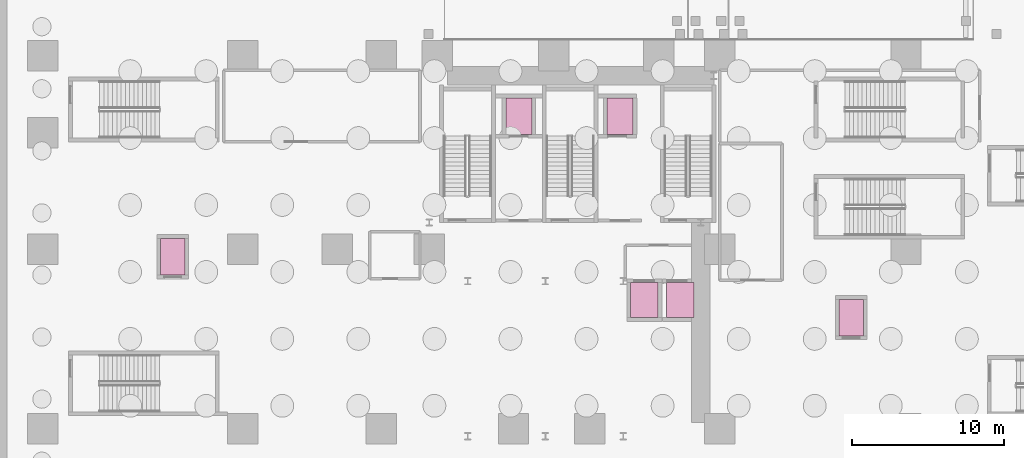
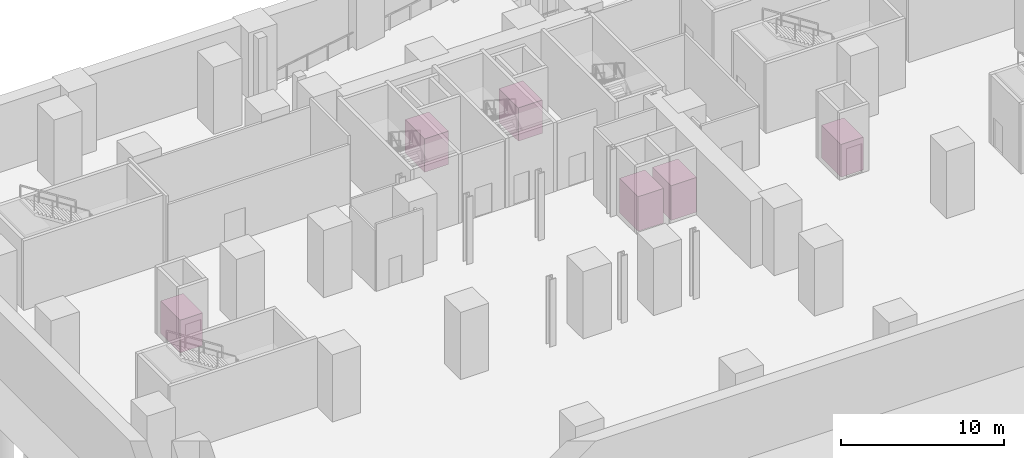
# One storey, part 14 of 14: 6 transport elements.
"""IFC4 building model written with IfcOpenShell, lengths in metres."""

from ifc_helpers import new_model, si_unit, direction, frame, origin, origin_2d, place, context, subcontext, project, spatial, rectangle, extrude, source, transform, mapped, material, type_object, element, save


model = new_model("IFC4")

# Units and contexts
model_context = context("Model", 3, precision=1e-05, world=origin(), true_north=direction((0.0, 1.0)))
body_context = subcontext(model_context, "Body", "Model", "MODEL_VIEW")
ifc_project = project(units=[si_unit("LENGTHUNIT", "METRE"), si_unit("AREAUNIT", "SQUARE_METRE"), si_unit("VOLUMEUNIT", "CUBIC_METRE"), si_unit("PLANEANGLEUNIT", "RADIAN"), si_unit("MASSUNIT", "GRAM", prefix="KILO")], contexts=[model_context])

# Site, building, storey
site_placement = place(None, origin())
site = spatial("IfcSite", under=ifc_project, at=site_placement, CompositionType="ELEMENT")
building_placement = place(site_placement, origin())
building = spatial("IfcBuilding", under=site, at=building_placement, Name="Vardaveli Station Tower", CompositionType="ELEMENT")
storey_placement = place(building_placement, frame((0.0, 0.0, -11.39990234375)))
storey = spatial("IfcBuildingStorey", under=building, at=storey_placement, Name="B02", CompositionType="ELEMENT", Elevation=-11.39990234375)

# Transport elements
ifc_material_1 = material(Name="Brushed stainless steel elevator cab", Category="steel")
transport_element_type_1 = type_object("IfcTransportElementType", Name="LIFT-PASS-1600", PredefinedType="ELEVATOR", material=ifc_material_1)
shared_shape_1 = source(origin(), body_context, "Body", "SweptSolid", [
    extrude(rectangle(XDim=1.60009765625, YDim=2.39990234375, at=origin_2d()), origin(), (0.0, 0.0, 1.0), 2.449951171875),
])
for number, where, z_axis, x_axis, name in (
    (1, (11.800048828125, 28.39990234375, 0.0), (0.0, 0.0, 1.0), (1.0, 0.0, 0.0), "Lift STN-01"),
    (2, (56.39990234375, 24.39990234375, 0.0), (0.0, 0.0, 1.0), (1.0, 0.0, 0.0), "Lift STN-02"),
):
    element("IfcTransportElement", number, at=place(storey_placement, frame(where, z_axis=z_axis, x_axis=x_axis)), inside=storey, type_object=transport_element_type_1, Name=name, PredefinedType="ELEVATOR", context=body_context, shape_type="MappedRepresentation", body=[
        mapped(shared_shape_1, transform((0.0, 0.0, 0.0), scale=1.0)),
    ])
ifc_material_2 = material(Name="Fire-rated stainless steel stretcher elevator cab", Category="steel")
transport_element_type_2 = type_object("IfcTransportElementType", Name="LIFT-FFL-1800", PredefinedType="ELEVATOR", material=ifc_material_2)
shared_shape_2 = source(origin(), body_context, "Body", "SweptSolid", [
    extrude(rectangle(XDim=1.699951171875, YDim=2.39990234375, at=origin_2d()), origin(), (0.0, 0.0, 1.0), 2.5),
])
for number, where, z_axis, x_axis, name in (
    (3, (34.550048828125, 37.64990234375, 0.0), (0.0, 0.0, 1.0), (1.0, 0.0, 0.0), "Lift FFL-01"),
    (4, (41.199951171875, 37.64990234375, 0.0), (0.0, 0.0, 1.0), (1.0, 0.0, 0.0), "Lift FFL-02"),
):
    element("IfcTransportElement", number, at=place(storey_placement, frame(where, z_axis=z_axis, x_axis=x_axis)), inside=storey, type_object=transport_element_type_2, Name=name, PredefinedType="ELEVATOR", context=body_context, shape_type="MappedRepresentation", body=[
        mapped(shared_shape_2, transform((0.0, 0.0, 0.0), scale=1.0)),
    ])
ifc_material_3 = material(Name="Heavy-duty stainless steel goods elevator cab", Category="steel")
transport_element_type_3 = type_object("IfcTransportElementType", Name="LIFT-SRV-2000", PredefinedType="ELEVATOR", material=ifc_material_3)
shared_shape_3 = source(origin(), body_context, "Body", "SweptSolid", [
    extrude(rectangle(XDim=1.800048828125, YDim=2.300048828125, at=origin_2d()), origin(), (0.0, 0.0, 1.0), 2.60009765625),
])
for number, where, z_axis, x_axis, name in (
    (5, (42.800048828125, 25.550048828125, -0.000244140625), (0.0, 0.0, 1.0), (1.0, 0.0, 0.0), "Lift SRV-01"),
    (6, (45.14990234375, 25.550048828125, -0.000244140625), (0.0, 0.0, 1.0), (1.0, 0.0, 0.0), "Lift SRV-02"),
):
    element("IfcTransportElement", number, at=place(storey_placement, frame(where, z_axis=z_axis, x_axis=x_axis)), inside=storey, type_object=transport_element_type_3, Name=name, PredefinedType="ELEVATOR", context=body_context, shape_type="MappedRepresentation", body=[
        mapped(shared_shape_3, transform((0.0, 0.0, 0.0), scale=1.0)),
    ])

save(model, "model.ifc")
